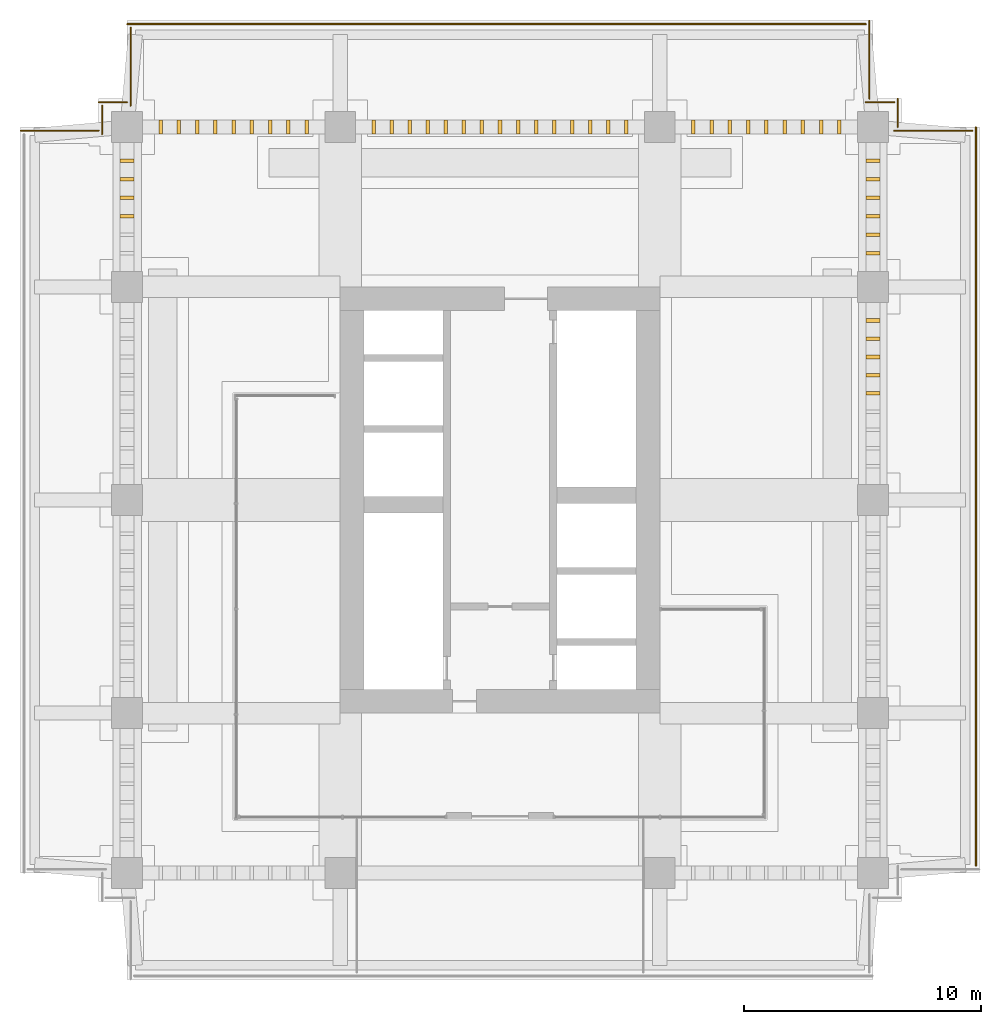
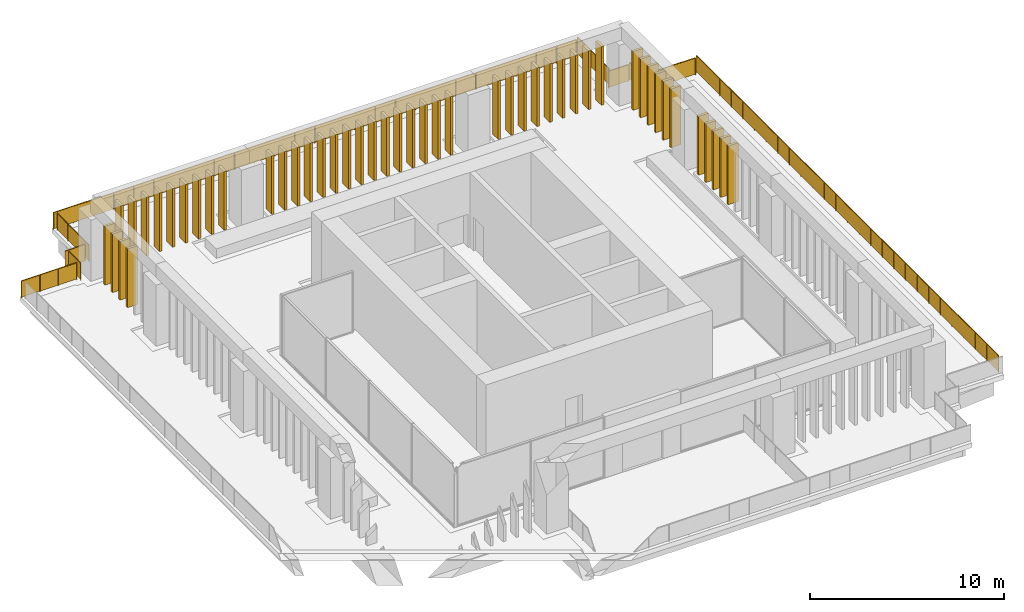
# One storey, part 9 of 9: 48 shading devices, 10 railings.
"""IFC4 building model written with IfcOpenShell, lengths in metres."""

import ifcopenshell
import ifcopenshell.guid

model = None  # the IFC model being written
_history = None  # IfcOwnerHistory: only IFC2X3 demands one
_inside = {}  # id of a spatial element -> (the spatial element, [elements in it])
_under = {}  # id of a project, library or spatial element -> (it, [spatial elements below it])
_declared = {}  # id of a project -> (the project, [libraries it declares])
_typed = {}  # id of a type object -> (the type object, [elements of that type])
_made_of = {}  # id of a material, layer set ... -> (it, [elements and type objects made of it])


def new_model(schema):
    """Start an empty IFC model of exactly this schema.

    Asked for "IFC4X3", IfcOpenShell would pick the latest addendum, in which some entities
    have other attributes; the version numbers below select the first issue.
    IFC2X3 requires an IfcOwnerHistory on every rooted entity: one is made here for all.
    """
    global model, _history
    if schema == "IFC4X3":
        model = ifcopenshell.file(schema_version=(4, 3, 0, 0))
    else:
        model = ifcopenshell.file(schema=schema)
    _inside.clear()
    _under.clear()
    _declared.clear()
    _typed.clear()
    _made_of.clear()
    _history = None
    if model.schema == "IFC2X3":
        org = make("IfcOrganization", Name="unknown")
        user = make(
            "IfcPersonAndOrganization",
            ThePerson=make("IfcPerson", FamilyName="unknown"),
            TheOrganization=org,
        )
        app = make(
            "IfcApplication",
            ApplicationDeveloper=org,
            Version="unknown",
            ApplicationFullName="unknown",
            ApplicationIdentifier="unknown",
        )
        _history = make(
            "IfcOwnerHistory",
            OwningUser=user,
            OwningApplication=app,
            ChangeAction="ADDED",
            CreationDate=0,
        )
    return model


def make(cls, **values):
    """One entity of the class cls with the attributes given. An attribute that is None is left unset."""
    return model.create_entity(
        cls, **{name: value for name, value in values.items() if value is not None}
    )


def rooted(cls, **values):
    """An entity with a GlobalId (a new one), such as an element, a storey or a relation."""
    return make(cls, GlobalId=ifcopenshell.guid.new(), OwnerHistory=_history, **values)


def si_unit(unit_type, name, prefix=None):
    """IfcSIUnit, for example si_unit("LENGTHUNIT", "METRE", prefix="MILLI")."""
    return make("IfcSIUnit", UnitType=unit_type, Prefix=prefix, Name=name)


def assignment(units):
    """IfcUnitAssignment: the units of a project."""
    return None if units is None else make("IfcUnitAssignment", Units=units)


def point(xyz):
    """IfcCartesianPoint."""
    return None if xyz is None else make("IfcCartesianPoint", Coordinates=xyz)


def direction(xyz):
    """IfcDirection."""
    return None if xyz is None else make("IfcDirection", DirectionRatios=xyz)


def frame(location, z_axis=None, x_axis=None):
    """IfcAxis2Placement3D, a coordinate frame: its origin and axes. An axis left out is left unset."""
    return make(
        "IfcAxis2Placement3D",
        Location=point(location),
        Axis=direction(z_axis),
        RefDirection=direction(x_axis),
    )


def frame_2d(location, x_axis=None):
    """IfcAxis2Placement2D, a coordinate frame in the plane: its origin and x axis."""
    return make(
        "IfcAxis2Placement2D", Location=point(location), RefDirection=direction(x_axis)
    )


def origin():
    """The frame at (0, 0, 0) with its axes left unset."""
    return frame((0.0, 0.0, 0.0))


def origin_2d():
    """The frame at (0, 0) in the plane with its x axis left unset."""
    return frame_2d((0.0, 0.0))


def place(relative_to, where):
    """IfcLocalPlacement: puts the frame where relative to a parent placement (None: the world)."""
    return make(
        "IfcLocalPlacement", PlacementRelTo=relative_to, RelativePlacement=where
    )


def context(
    kind, dimensions, precision=None, world=None, true_north=None, identifier=None
):
    """IfcGeometricRepresentationContext, for example the 3D "Model" context."""
    return make(
        "IfcGeometricRepresentationContext",
        ContextIdentifier=identifier,
        ContextType=kind,
        CoordinateSpaceDimension=dimensions,
        Precision=precision,
        WorldCoordinateSystem=world,
        TrueNorth=true_north,
    )


def subcontext(parent, identifier, kind, view, scale=None):
    """IfcGeometricRepresentationSubContext, for example "Body" below "Model"."""
    return make(
        "IfcGeometricRepresentationSubContext",
        ContextIdentifier=identifier,
        ContextType=kind,
        ParentContext=parent,
        TargetScale=scale,
        TargetView=view,
    )


def project(units=None, contexts=None):
    """IfcProject with its units and contexts."""
    return rooted(
        "IfcProject",
        Name="project",
        RepresentationContexts=contexts,
        UnitsInContext=assignment(units),
    )


def spatial(cls, under=None, at=None, **own):
    """A site, building, storey or space (cls), placed at a placement, below another one or the project."""
    s = rooted(cls, ObjectPlacement=at, **own)
    if under is not None:
        _under.setdefault(under.id(), (under, []))[1].append(s)
    return s


def polyline(points):
    """IfcPolyline through the points."""
    return make("IfcPolyline", Points=[point(p) for p in points])


def profile(cls, at=None, kind="AREA", **sizes):
    """A parametric profile (cls). Its sizes go by their IFC names, for example OverallWidth=200.0."""
    return make(cls, ProfileType=kind, Position=at, **sizes)


def rectangle(**sizes):
    """IfcRectangleProfileDef."""
    return profile("IfcRectangleProfileDef", **sizes)


def circle(**sizes):
    """IfcCircleProfileDef."""
    return profile("IfcCircleProfileDef", **sizes)


def outline(outer, holes=None, kind="AREA"):
    """IfcArbitraryClosedProfileDef: a profile drawn as a closed curve; with holes, ...WithVoids."""
    if holes is None:
        return make("IfcArbitraryClosedProfileDef", ProfileType=kind, OuterCurve=outer)
    return make(
        "IfcArbitraryProfileDefWithVoids",
        ProfileType=kind,
        OuterCurve=outer,
        InnerCurves=holes,
    )


def extrude(swept, where, along, depth):
    """IfcExtrudedAreaSolid: the profile swept, set in the frame where, extruded along a direction by depth."""
    return make(
        "IfcExtrudedAreaSolid",
        SweptArea=swept,
        Position=where,
        ExtrudedDirection=direction(along),
        Depth=depth,
    )


def shape(context_of_items, identifier, shape_type, items):
    """IfcShapeRepresentation: the items that make up one representation, for example the "Body"."""
    return make(
        "IfcShapeRepresentation",
        ContextOfItems=context_of_items,
        RepresentationIdentifier=identifier,
        RepresentationType=shape_type,
        Items=items,
    )


def material(Name=None, Category=None):
    """IfcMaterial."""
    return make("IfcMaterial", Name=Name, Category=Category)


def layer(
    of_material, thickness, ventilated=None, Name=None, Category=None, Priority=None
):
    """IfcMaterialLayer: one layer of a wall or slab, of a material (None: an air gap)."""
    return make(
        "IfcMaterialLayer",
        Material=of_material,
        LayerThickness=thickness,
        IsVentilated=ventilated,
        Name=Name,
        Category=Category,
        Priority=Priority,
    )


def layer_set(layers, Name=None):
    """IfcMaterialLayerSet."""
    return make("IfcMaterialLayerSet", MaterialLayers=layers, LayerSetName=Name)


def made_of(thing, what):
    """Note that an element or type object is made of a material, layer set ...; save() writes the relation."""
    if what is not None:
        _made_of.setdefault(what.id(), (what, []))[1].append(thing)
    return thing


def type_object(cls, material=None, **own):
    """A type object (cls), such as IfcWallType, which elements share."""
    return made_of(rooted(cls, **own), material)


def element(
    cls,
    number,
    at=None,
    inside=None,
    cuts=None,
    type_object=None,
    material=None,
    context=None,
    identifier="Body",
    shape_type=None,
    held_by="IfcProductDefinitionShape",
    body=None,
    shapes=None,
    **own,
):
    """One element of the class cls, such as IfcWall. Its Tag is "e" and its number.

    at: its placement. inside: the storey or other place that contains it. cuts: it is an
    opening in that element (IfcRelVoidsElement). A single representation is given by context,
    identifier, shape_type and body (its items); several are given by shapes. held_by: the class
    of the entity that holds the representations. save() writes the other relations.
    """
    e = rooted(cls, Tag="e%d" % number, ObjectPlacement=at, **own)
    if body is not None:
        shapes = [shape(context, identifier, shape_type, body)]
    if shapes is not None:
        e.Representation = make(held_by, Representations=shapes)
    if inside is not None:
        _inside.setdefault(inside.id(), (inside, []))[1].append(e)
    if cuts is not None:
        rooted(
            "IfcRelVoidsElement", RelatingBuildingElement=cuts, RelatedOpeningElement=e
        )
    if type_object is not None:
        _typed.setdefault(type_object.id(), (type_object, []))[1].append(e)
    return made_of(e, material)


def aggregate(whole, parts):
    """IfcRelAggregates: a whole, such as a stair, and the parts it consists of."""
    return rooted("IfcRelAggregates", RelatingObject=whole, RelatedObjects=parts)


def save(model, path):
    """Write the relations noted so far, then the file.

    IfcRelAggregates (storeys below a building ...), IfcRelContainedInSpatialStructure (elements
    in a storey), IfcRelDefinesByType, IfcRelAssociatesMaterial and IfcRelDeclares: one each for
    every whole, place, type object, material and project.
    """
    for whole, parts in _under.values():
        aggregate(whole, parts)
    for where, things in _inside.values():
        rooted(
            "IfcRelContainedInSpatialStructure",
            RelatedElements=things,
            RelatingStructure=where,
        )
    for kind, things in _typed.values():
        rooted("IfcRelDefinesByType", RelatedObjects=things, RelatingType=kind)
    for what, things in _made_of.values():
        rooted("IfcRelAssociatesMaterial", RelatedObjects=things, RelatingMaterial=what)
    for by, libraries in _declared.values():
        rooted("IfcRelDeclares", RelatingContext=by, RelatedDefinitions=libraries)
    model.write(path)


model = new_model("IFC4")

# Units and contexts
model_context = context("Model", 3, precision=1e-05, world=origin(), true_north=direction((0.0, 1.0)))
body_context = subcontext(model_context, "Body", "Model", "MODEL_VIEW")
ifc_project = project(units=[si_unit("LENGTHUNIT", "METRE"), si_unit("AREAUNIT", "SQUARE_METRE"), si_unit("VOLUMEUNIT", "CUBIC_METRE"), si_unit("PLANEANGLEUNIT", "RADIAN"), si_unit("MASSUNIT", "GRAM", prefix="KILO")], contexts=[model_context])

# Site, building, storey
site_placement = place(None, origin())
site = spatial("IfcSite", under=ifc_project, at=site_placement, CompositionType="ELEMENT")
building_placement = place(site_placement, origin())
building = spatial("IfcBuilding", under=site, at=building_placement, Name="Namib Vertical Campus", CompositionType="ELEMENT")
storey_placement = place(building_placement, frame((0.0, 0.0, 297.0)))
storey = spatial("IfcBuildingStorey", under=building, at=storey_placement, Name="L70", CompositionType="ELEMENT", Elevation=297.0)

# Shading devices
ifc_material_1 = material(Name="Black anodised aluminium", Category="aluminium")
ifc_layer = layer(ifc_material_1, 0.14990234375)
ifc_layer_set = layer_set([ifc_layer], Name="Crown screen fin 150x600")
shading_device_type = type_object("IfcShadingDeviceType", Name="Crown screen fin 150x600", PredefinedType="SHUTTER", material=ifc_layer_set)
for number, where, z_axis, x_axis, name in (
    (1, (36.0, 24.75, 0.14990234375), (0.0, 0.0, 1.0), (0.0, 1.0, 0.0), "Crown screen fin CF1 E 20"),
    (2, (36.0, 25.52001953125, 0.14990234375), (0.0, 0.0, 1.0), (0.0, 1.0, 0.0), "Crown screen fin CF1 E 21"),
    (3, (36.0, 26.2900390625, 0.14990234375), (0.0, 0.0, 1.0), (0.0, 1.0, 0.0), "Crown screen fin CF1 E 22"),
    (4, (36.0, 27.06005859375, 0.14990234375), (0.0, 0.0, 1.0), (0.0, 1.0, 0.0), "Crown screen fin CF1 E 23"),
    (5, (36.0, 27.830078125, 0.14990234375), (0.0, 0.0, 1.0), (0.0, 1.0, 0.0), "Crown screen fin CF1 E 24"),
    (6, (36.0, 30.678466796875, 0.14990234375), (0.0, 0.0, 1.0), (0.0, 1.0, 0.0), "Crown screen fin CF1 E 25"),
    (7, (36.0, 31.45703125, 0.14990234375), (0.0, 0.0, 1.0), (0.0, 1.0, 0.0), "Crown screen fin CF1 E 26"),
    (8, (36.0, 32.235595703125, 0.14990234375), (0.0, 0.0, 1.0), (0.0, 1.0, 0.0), "Crown screen fin CF1 E 27"),
    (9, (36.0, 33.014404296875, 0.14990234375), (0.0, 0.0, 1.0), (0.0, 1.0, 0.0), "Crown screen fin CF1 E 28"),
    (10, (36.0, 33.79296875, 0.14990234375), (0.0, 0.0, 1.0), (0.0, 1.0, 0.0), "Crown screen fin CF1 E 29"),
    (11, (36.0, 34.571533203125, 0.14990234375), (0.0, 0.0, 1.0), (0.0, 1.0, 0.0), "Crown screen fin CF1 E 30"),
    (12, (34.580078125, 36.0, 0.14990234375), (0.0, 0.0, 1.0), (-1.0, 0.0, 0.0), "Crown screen fin CF1 N 1"),
    (13, (33.81005859375, 36.0, 0.14990234375), (0.0, 0.0, 1.0), (-1.0, 0.0, 0.0), "Crown screen fin CF1 N 2"),
    (14, (33.0400390625, 36.0, 0.14990234375), (0.0, 0.0, 1.0), (-1.0, 0.0, 0.0), "Crown screen fin CF1 N 3"),
    (15, (32.27001953125, 36.0, 0.14990234375), (0.0, 0.0, 1.0), (-1.0, 0.0, 0.0), "Crown screen fin CF1 N 4"),
    (16, (31.5, 36.0, 0.14990234375), (0.0, 0.0, 1.0), (-1.0, 0.0, 0.0), "Crown screen fin CF1 N 5"),
    (17, (30.72998046875, 36.0, 0.14990234375), (0.0, 0.0, 1.0), (-1.0, 0.0, 0.0), "Crown screen fin CF1 N 6"),
    (18, (29.9599609375, 36.0, 0.14990234375), (0.0, 0.0, 1.0), (-1.0, 0.0, 0.0), "Crown screen fin CF1 N 7"),
    (19, (29.18994140625, 36.0, 0.14990234375), (0.0, 0.0, 1.0), (-1.0, 0.0, 0.0), "Crown screen fin CF1 N 8"),
    (20, (28.419921875, 36.0, 0.14990234375), (0.0, 0.0, 1.0), (-1.0, 0.0, 0.0), "Crown screen fin CF1 N 9"),
    (21, (25.58740234375, 36.0, 0.14990234375), (0.0, 0.0, 1.0), (-1.0, 0.0, 0.0), "Crown screen fin CF1 N 10"),
    (22, (24.824951171875, 36.0, 0.14990234375), (0.0, 0.0, 1.0), (-1.0, 0.0, 0.0), "Crown screen fin CF1 N 11"),
    (23, (24.0625, 36.0, 0.14990234375), (0.0, 0.0, 1.0), (-1.0, 0.0, 0.0), "Crown screen fin CF1 N 12"),
    (24, (23.300048828125, 36.0, 0.14990234375), (0.0, 0.0, 1.0), (-1.0, 0.0, 0.0), "Crown screen fin CF1 N 13"),
    (25, (22.53759765625, 36.0, 0.14990234375), (0.0, 0.0, 1.0), (-1.0, 0.0, 0.0), "Crown screen fin CF1 N 14"),
    (26, (21.77490234375, 36.0, 0.14990234375), (0.0, 0.0, 1.0), (-1.0, 0.0, 0.0), "Crown screen fin CF1 N 15"),
    (27, (21.012451171875, 36.0, 0.14990234375), (0.0, 0.0, 1.0), (-1.0, 0.0, 0.0), "Crown screen fin CF1 N 16"),
    (28, (20.25, 36.0, 0.14990234375), (0.0, 0.0, 1.0), (-1.0, 0.0, 0.0), "Crown screen fin CF1 N 17"),
    (29, (19.487548828125, 36.0, 0.14990234375), (0.0, 0.0, 1.0), (-1.0, 0.0, 0.0), "Crown screen fin CF1 N 18"),
    (30, (18.72509765625, 36.0, 0.14990234375), (0.0, 0.0, 1.0), (-1.0, 0.0, 0.0), "Crown screen fin CF1 N 19"),
    (31, (17.96240234375, 36.0, 0.14990234375), (0.0, 0.0, 1.0), (-1.0, 0.0, 0.0), "Crown screen fin CF1 N 20"),
    (32, (17.199951171875, 36.0, 0.14990234375), (0.0, 0.0, 1.0), (-1.0, 0.0, 0.0), "Crown screen fin CF1 N 21"),
    (33, (16.4375, 36.0, 0.14990234375), (0.0, 0.0, 1.0), (-1.0, 0.0, 0.0), "Crown screen fin CF1 N 22"),
    (34, (15.675048828125, 36.0, 0.14990234375), (0.0, 0.0, 1.0), (-1.0, 0.0, 0.0), "Crown screen fin CF1 N 23"),
    (35, (14.91259765625, 36.0, 0.14990234375), (0.0, 0.0, 1.0), (-1.0, 0.0, 0.0), "Crown screen fin CF1 N 24"),
    (36, (12.080078125, 36.0, 0.14990234375), (0.0, 0.0, 1.0), (-1.0, 0.0, 0.0), "Crown screen fin CF1 N 25"),
    (37, (11.31005859375, 36.0, 0.14990234375), (0.0, 0.0, 1.0), (-1.0, 0.0, 0.0), "Crown screen fin CF1 N 26"),
    (38, (10.5400390625, 36.0, 0.14990234375), (0.0, 0.0, 1.0), (-1.0, 0.0, 0.0), "Crown screen fin CF1 N 27"),
    (39, (9.77001953125, 36.0, 0.14990234375), (0.0, 0.0, 1.0), (-1.0, 0.0, 0.0), "Crown screen fin CF1 N 28"),
    (40, (9.0, 36.0, 0.14990234375), (0.0, 0.0, 1.0), (-1.0, 0.0, 0.0), "Crown screen fin CF1 N 29"),
    (41, (8.22998046875, 36.0, 0.14990234375), (0.0, 0.0, 1.0), (-1.0, 0.0, 0.0), "Crown screen fin CF1 N 30"),
    (42, (7.4599609375, 36.0, 0.14990234375), (0.0, 0.0, 1.0), (-1.0, 0.0, 0.0), "Crown screen fin CF1 N 31"),
    (43, (6.68994140625, 36.0, 0.14990234375), (0.0, 0.0, 1.0), (-1.0, 0.0, 0.0), "Crown screen fin CF1 N 32"),
    (44, (5.919921875, 36.0, 0.14990234375), (0.0, 0.0, 1.0), (-1.0, 0.0, 0.0), "Crown screen fin CF1 N 33"),
    (45, (4.5, 34.571533203125, 0.14990234375), (0.0, 0.0, 1.0), (0.0, -1.0, 0.0), "Crown screen fin CF1 W 1"),
    (46, (4.5, 33.79296875, 0.14990234375), (0.0, 0.0, 1.0), (0.0, -1.0, 0.0), "Crown screen fin CF1 W 2"),
    (47, (4.5, 33.014404296875, 0.14990234375), (0.0, 0.0, 1.0), (0.0, -1.0, 0.0), "Crown screen fin CF1 W 3"),
    (48, (4.5, 32.235595703125, 0.14990234375), (0.0, 0.0, 1.0), (0.0, -1.0, 0.0), "Crown screen fin CF1 W 4"),
):
    element("IfcShadingDevice", number, at=place(storey_placement, frame(where, z_axis=z_axis, x_axis=x_axis)), inside=storey, type_object=shading_device_type, Name=name, PredefinedType="SHUTTER", context=body_context, shape_type="SweptSolid", body=[
        extrude(rectangle(XDim=0.14990234375, YDim=0.60009765625, at=origin_2d()), origin(), (0.0, 0.0, 1.0), 3.699951171875),
    ])

# Railings
ifc_material_2 = material(Name="Toughened glass balustrade", Category="glass")
railing_type = type_object("IfcRailingType", Name="Edge guard 1100", PredefinedType="GUARDRAIL", material=ifc_material_2)
railing_1_placement = place(storey_placement, frame((40.35009765625, 4.800048828125, 0.0)))
element("IfcRailing", 49, at=railing_1_placement, inside=storey, type_object=railing_type, Name="Sky garden guard GR2 6", PredefinedType="GUARDRAIL", context=body_context, shape_type="SweptSolid", body=[
    extrude(circle(Radius=0.02392578125, at=origin_2d()), frame((0.0, 0.0, 1.076171875), z_axis=(0.0, 1.0, 0.0), x_axis=(-1.0, 0.0, 0.0)), (0.0, 0.0, 1.0), 31.199951171875),
    extrude(outline(polyline([(0.02099609375, 0.050048828125), (31.178955078125, 0.050048828125), (31.178955078125, 1.052001953125), (0.02099609375, 1.052001953125), (0.02099609375, 0.050048828125)])), frame((-0.0107421875, 0.0, 0.0), z_axis=(1.0, 0.0, 0.0), x_axis=(0.0, 1.0, 0.0)), (0.0, 0.0, 1.0), 0.021484375),
    extrude(circle(Radius=0.02099609375, at=origin_2d()), origin(), (0.0, 0.0, 1.0), 1.052001953125),
    extrude(circle(Radius=0.02099609375, at=origin_2d()), frame((0.0, 1.199951171875, 0.0)), (0.0, 0.0, 1.0), 1.052001953125),
    extrude(circle(Radius=0.02099609375, at=origin_2d()), frame((0.0, 2.39990234375, 0.0)), (0.0, 0.0, 1.0), 1.052001953125),
    extrude(circle(Radius=0.02099609375, at=origin_2d()), frame((0.0, 3.60009765625, 0.0)), (0.0, 0.0, 1.0), 1.052001953125),
    extrude(circle(Radius=0.02099609375, at=origin_2d()), frame((0.0, 4.800048828125, 0.0)), (0.0, 0.0, 1.0), 1.052001953125),
    extrude(circle(Radius=0.02099609375, at=origin_2d()), frame((0.0, 6.0, 0.0)), (0.0, 0.0, 1.0), 1.052001953125),
    extrude(circle(Radius=0.02099609375, at=origin_2d()), frame((0.0, 7.199951171875, 0.0)), (0.0, 0.0, 1.0), 1.052001953125),
    extrude(circle(Radius=0.02099609375, at=origin_2d()), frame((0.0, 8.39990234375, 0.0)), (0.0, 0.0, 1.0), 1.052001953125),
    extrude(circle(Radius=0.02099609375, at=origin_2d()), frame((0.0, 9.60009765625, 0.0)), (0.0, 0.0, 1.0), 1.052001953125),
    extrude(circle(Radius=0.02099609375, at=origin_2d()), frame((0.0, 10.800048828125, 0.0)), (0.0, 0.0, 1.0), 1.052001953125),
    extrude(circle(Radius=0.02099609375, at=origin_2d()), frame((0.0, 12.0, 0.0)), (0.0, 0.0, 1.0), 1.052001953125),
    extrude(circle(Radius=0.02099609375, at=origin_2d()), frame((0.0, 13.199951171875, 0.0)), (0.0, 0.0, 1.0), 1.052001953125),
    extrude(circle(Radius=0.02099609375, at=origin_2d()), frame((0.0, 14.39990234375, 0.0)), (0.0, 0.0, 1.0), 1.052001953125),
    extrude(circle(Radius=0.02099609375, at=origin_2d()), frame((0.0, 15.60009765625, 0.0)), (0.0, 0.0, 1.0), 1.052001953125),
    extrude(circle(Radius=0.02099609375, at=origin_2d()), frame((0.0, 16.800048828125, 0.0)), (0.0, 0.0, 1.0), 1.052001953125),
    extrude(circle(Radius=0.02099609375, at=origin_2d()), frame((0.0, 18.0, 0.0)), (0.0, 0.0, 1.0), 1.052001953125),
    extrude(circle(Radius=0.02099609375, at=origin_2d()), frame((0.0, 19.199951171875, 0.0)), (0.0, 0.0, 1.0), 1.052001953125),
    extrude(circle(Radius=0.02099609375, at=origin_2d()), frame((0.0, 20.39990234375, 0.0)), (0.0, 0.0, 1.0), 1.052001953125),
    extrude(circle(Radius=0.02099609375, at=origin_2d()), frame((0.0, 21.599853515625, 0.0)), (0.0, 0.0, 1.0), 1.052001953125),
    extrude(circle(Radius=0.02099609375, at=origin_2d()), frame((0.0, 22.800048828125, 0.0)), (0.0, 0.0, 1.0), 1.052001953125),
    extrude(circle(Radius=0.02099609375, at=origin_2d()), frame((0.0, 24.0, 0.0)), (0.0, 0.0, 1.0), 1.052001953125),
    extrude(circle(Radius=0.02099609375, at=origin_2d()), frame((0.0, 25.199951171875, 0.0)), (0.0, 0.0, 1.0), 1.052001953125),
    extrude(circle(Radius=0.02099609375, at=origin_2d()), frame((0.0, 26.39990234375, 0.0)), (0.0, 0.0, 1.0), 1.052001953125),
    extrude(circle(Radius=0.02099609375, at=origin_2d()), frame((0.0, 27.599853515625, 0.0)), (0.0, 0.0, 1.0), 1.052001953125),
    extrude(circle(Radius=0.02099609375, at=origin_2d()), frame((0.0, 28.800048828125, 0.0)), (0.0, 0.0, 1.0), 1.052001953125),
    extrude(circle(Radius=0.02099609375, at=origin_2d()), frame((0.0, 30.0, 0.0)), (0.0, 0.0, 1.0), 1.052001953125),
    extrude(circle(Radius=0.02099609375, at=origin_2d()), frame((0.0, 31.199951171875, 0.0)), (0.0, 0.0, 1.0), 1.052001953125),
])
railing_2_placement = place(storey_placement, frame((40.199951171875, 35.85009765625, 0.0)))
element("IfcRailing", 50, at=railing_2_placement, inside=storey, type_object=railing_type, Name="Sky garden guard GR2 7", PredefinedType="GUARDRAIL", context=body_context, shape_type="SweptSolid", body=[
    extrude(circle(Radius=0.02392578125, at=origin_2d()), frame((0.0, 0.0, 1.076171875), z_axis=(-1.0, 0.0, 0.0), x_axis=(0.0, -1.0, 0.0)), (0.0, 0.0, 1.0), 3.300048828125),
    extrude(outline(polyline([(0.02099609375, 0.050048828125), (3.279052734375, 0.050048828125), (3.279052734375, 1.052001953125), (0.02099609375, 1.052001953125), (0.02099609375, 0.050048828125)])), frame((0.0, -0.0107421875, 0.0), z_axis=(0.0, 1.0, 0.0), x_axis=(-1.0, 0.0, 0.0)), (0.0, 0.0, 1.0), 0.021484375),
    extrude(circle(Radius=0.02099609375, at=origin_2d()), origin(), (0.0, 0.0, 1.0), 1.052001953125),
    extrude(circle(Radius=0.02099609375, at=origin_2d()), frame((-1.10009765625, 0.0, 0.0)), (0.0, 0.0, 1.0), 1.052001953125),
    extrude(circle(Radius=0.02099609375, at=origin_2d()), frame((-2.199951171875, 0.0, 0.0)), (0.0, 0.0, 1.0), 1.052001953125),
    extrude(circle(Radius=0.02099609375, at=origin_2d()), frame((-3.300048828125, 0.0, 0.0)), (0.0, 0.0, 1.0), 1.052001953125),
])
railing_3_placement = place(storey_placement, frame((37.050048828125, 36.0, 0.0)))
element("IfcRailing", 51, at=railing_3_placement, inside=storey, type_object=railing_type, Name="Sky garden guard GR2 8", PredefinedType="GUARDRAIL", context=body_context, shape_type="SweptSolid", body=[
    extrude(circle(Radius=0.02392578125, at=origin_2d()), frame((0.0, 0.0, 1.076171875), z_axis=(0.0, 1.0, 0.0), x_axis=(-1.0, 0.0, 0.0)), (0.0, 0.0, 1.0), 1.199951171875),
    extrude(outline(polyline([(0.02099609375, 0.050048828125), (1.178955078125, 0.050048828125), (1.178955078125, 1.052001953125), (0.02099609375, 1.052001953125), (0.02099609375, 0.050048828125)])), frame((-0.0107421875, 0.0, 0.0), z_axis=(1.0, 0.0, 0.0), x_axis=(0.0, 1.0, 0.0)), (0.0, 0.0, 1.0), 0.021484375),
    extrude(circle(Radius=0.02099609375, at=origin_2d()), origin(), (0.0, 0.0, 1.0), 1.052001953125),
    extrude(circle(Radius=0.02099609375, at=origin_2d()), frame((0.0, 1.199951171875, 0.0)), (0.0, 0.0, 1.0), 1.052001953125),
])
railing_4_placement = place(storey_placement, frame((36.89990234375, 37.050048828125, 0.0)))
element("IfcRailing", 52, at=railing_4_placement, inside=storey, type_object=railing_type, Name="Sky garden guard GR2 9", PredefinedType="GUARDRAIL", context=body_context, shape_type="SweptSolid", body=[
    extrude(circle(Radius=0.02392578125, at=origin_2d()), frame((0.0, 0.0, 1.076171875), z_axis=(-1.0, 0.0, 0.0), x_axis=(0.0, -1.0, 0.0)), (0.0, 0.0, 1.0), 1.199951171875),
    extrude(outline(polyline([(0.02099609375, 0.050048828125), (1.178955078125, 0.050048828125), (1.178955078125, 1.052001953125), (0.02099609375, 1.052001953125), (0.02099609375, 0.050048828125)])), frame((0.0, -0.0107421875, 0.0), z_axis=(0.0, 1.0, 0.0), x_axis=(-1.0, 0.0, 0.0)), (0.0, 0.0, 1.0), 0.021484375),
    extrude(circle(Radius=0.02099609375, at=origin_2d()), origin(), (0.0, 0.0, 1.0), 1.052001953125),
    extrude(circle(Radius=0.02099609375, at=origin_2d()), frame((-1.199951171875, 0.0, 0.0)), (0.0, 0.0, 1.0), 1.052001953125),
])
railing_5_placement = place(storey_placement, frame((35.85009765625, 37.199951171875, 0.0)))
element("IfcRailing", 53, at=railing_5_placement, inside=storey, type_object=railing_type, Name="Sky garden guard GR2 10", PredefinedType="GUARDRAIL", context=body_context, shape_type="SweptSolid", body=[
    extrude(circle(Radius=0.02392578125, at=origin_2d()), frame((0.0, 0.0, 1.076171875), z_axis=(0.0, 1.0, 0.0), x_axis=(-1.0, 0.0, 0.0)), (0.0, 0.0, 1.0), 3.300048828125),
    extrude(outline(polyline([(0.02099609375, 0.050048828125), (3.279052734375, 0.050048828125), (3.279052734375, 1.052001953125), (0.02099609375, 1.052001953125), (0.02099609375, 0.050048828125)])), frame((-0.0107421875, 0.0, 0.0), z_axis=(1.0, 0.0, 0.0), x_axis=(0.0, 1.0, 0.0)), (0.0, 0.0, 1.0), 0.021484375),
    extrude(circle(Radius=0.02099609375, at=origin_2d()), origin(), (0.0, 0.0, 1.0), 1.052001953125),
    extrude(circle(Radius=0.02099609375, at=origin_2d()), frame((0.0, 1.10009765625, 0.0)), (0.0, 0.0, 1.0), 1.052001953125),
    extrude(circle(Radius=0.02099609375, at=origin_2d()), frame((0.0, 2.199951171875, 0.0)), (0.0, 0.0, 1.0), 1.052001953125),
    extrude(circle(Radius=0.02099609375, at=origin_2d()), frame((0.0, 3.300048828125, 0.0)), (0.0, 0.0, 1.0), 1.052001953125),
])
railing_6_placement = place(storey_placement, frame((35.699951171875, 40.35009765625, 0.0)))
element("IfcRailing", 54, at=railing_6_placement, inside=storey, type_object=railing_type, Name="Sky garden guard GR2 11", PredefinedType="GUARDRAIL", context=body_context, shape_type="SweptSolid", body=[
    extrude(circle(Radius=0.02392578125, at=origin_2d()), frame((0.0, 0.0, 1.076171875), z_axis=(-1.0, 0.0, 0.0), x_axis=(0.0, -1.0, 0.0)), (0.0, 0.0, 1.0), 31.199951171875),
    extrude(outline(polyline([(0.02099609375, 0.050048828125), (31.178955078125, 0.050048828125), (31.178955078125, 1.052001953125), (0.02099609375, 1.052001953125), (0.02099609375, 0.050048828125)])), frame((0.0, -0.0107421875, 0.0), z_axis=(0.0, 1.0, 0.0), x_axis=(-1.0, 0.0, 0.0)), (0.0, 0.0, 1.0), 0.021484375),
    extrude(circle(Radius=0.02099609375, at=origin_2d()), origin(), (0.0, 0.0, 1.0), 1.052001953125),
    extrude(circle(Radius=0.02099609375, at=origin_2d()), frame((-1.199951171875, 0.0, 0.0)), (0.0, 0.0, 1.0), 1.052001953125),
    extrude(circle(Radius=0.02099609375, at=origin_2d()), frame((-2.39990234375, 0.0, 0.0)), (0.0, 0.0, 1.0), 1.052001953125),
    extrude(circle(Radius=0.02099609375, at=origin_2d()), frame((-3.60009765625, 0.0, 0.0)), (0.0, 0.0, 1.0), 1.052001953125),
    extrude(circle(Radius=0.02099609375, at=origin_2d()), frame((-4.800048828125, 0.0, 0.0)), (0.0, 0.0, 1.0), 1.052001953125),
    extrude(circle(Radius=0.02099609375, at=origin_2d()), frame((-6.0, 0.0, 0.0)), (0.0, 0.0, 1.0), 1.052001953125),
    extrude(circle(Radius=0.02099609375, at=origin_2d()), frame((-7.199951171875, 0.0, 0.0)), (0.0, 0.0, 1.0), 1.052001953125),
    extrude(circle(Radius=0.02099609375, at=origin_2d()), frame((-8.39990234375, 0.0, 0.0)), (0.0, 0.0, 1.0), 1.052001953125),
    extrude(circle(Radius=0.02099609375, at=origin_2d()), frame((-9.60009765625, 0.0, 0.0)), (0.0, 0.0, 1.0), 1.052001953125),
    extrude(circle(Radius=0.02099609375, at=origin_2d()), frame((-10.800048828125, 0.0, 0.0)), (0.0, 0.0, 1.0), 1.052001953125),
    extrude(circle(Radius=0.02099609375, at=origin_2d()), frame((-12.0, 0.0, 0.0)), (0.0, 0.0, 1.0), 1.052001953125),
    extrude(circle(Radius=0.02099609375, at=origin_2d()), frame((-13.199951171875, 0.0, 0.0)), (0.0, 0.0, 1.0), 1.052001953125),
    extrude(circle(Radius=0.02099609375, at=origin_2d()), frame((-14.39990234375, 0.0, 0.0)), (0.0, 0.0, 1.0), 1.052001953125),
    extrude(circle(Radius=0.02099609375, at=origin_2d()), frame((-15.60009765625, 0.0, 0.0)), (0.0, 0.0, 1.0), 1.052001953125),
    extrude(circle(Radius=0.02099609375, at=origin_2d()), frame((-16.800048828125, 0.0, 0.0)), (0.0, 0.0, 1.0), 1.052001953125),
    extrude(circle(Radius=0.02099609375, at=origin_2d()), frame((-18.0, 0.0, 0.0)), (0.0, 0.0, 1.0), 1.052001953125),
    extrude(circle(Radius=0.02099609375, at=origin_2d()), frame((-19.199951171875, 0.0, 0.0)), (0.0, 0.0, 1.0), 1.052001953125),
    extrude(circle(Radius=0.02099609375, at=origin_2d()), frame((-20.39990234375, 0.0, 0.0)), (0.0, 0.0, 1.0), 1.052001953125),
    extrude(circle(Radius=0.02099609375, at=origin_2d()), frame((-21.599853515625, 0.0, 0.0)), (0.0, 0.0, 1.0), 1.052001953125),
    extrude(circle(Radius=0.02099609375, at=origin_2d()), frame((-22.800048828125, 0.0, 0.0)), (0.0, 0.0, 1.0), 1.052001953125),
    extrude(circle(Radius=0.02099609375, at=origin_2d()), frame((-24.0, 0.0, 0.0)), (0.0, 0.0, 1.0), 1.052001953125),
    extrude(circle(Radius=0.02099609375, at=origin_2d()), frame((-25.199951171875, 0.0, 0.0)), (0.0, 0.0, 1.0), 1.052001953125),
    extrude(circle(Radius=0.02099609375, at=origin_2d()), frame((-26.39990234375, 0.0, 0.0)), (0.0, 0.0, 1.0), 1.052001953125),
    extrude(circle(Radius=0.02099609375, at=origin_2d()), frame((-27.599853515625, 0.0, 0.0)), (0.0, 0.0, 1.0), 1.052001953125),
    extrude(circle(Radius=0.02099609375, at=origin_2d()), frame((-28.800048828125, 0.0, 0.0)), (0.0, 0.0, 1.0), 1.052001953125),
    extrude(circle(Radius=0.02099609375, at=origin_2d()), frame((-30.0, 0.0, 0.0)), (0.0, 0.0, 1.0), 1.052001953125),
    extrude(circle(Radius=0.02099609375, at=origin_2d()), frame((-31.199951171875, 0.0, 0.0)), (0.0, 0.0, 1.0), 1.052001953125),
])
railing_7_placement = place(storey_placement, frame((4.64990234375, 40.199951171875, 0.0)))
element("IfcRailing", 55, at=railing_7_placement, inside=storey, type_object=railing_type, Name="Sky garden guard GR2 12", PredefinedType="GUARDRAIL", context=body_context, shape_type="SweptSolid", body=[
    extrude(circle(Radius=0.02392578125, at=origin_2d()), frame((0.0, 0.0, 1.076171875), z_axis=(0.0, -1.0, 0.0), x_axis=(1.0, 0.0, 0.0)), (0.0, 0.0, 1.0), 3.300048828125),
    extrude(outline(polyline([(0.02099609375, 0.050048828125), (3.279052734375, 0.050048828125), (3.279052734375, 1.052001953125), (0.02099609375, 1.052001953125), (0.02099609375, 0.050048828125)])), frame((0.0107421875, 0.0, 0.0), z_axis=(-1.0, 0.0, 0.0), x_axis=(0.0, -1.0, 0.0)), (0.0, 0.0, 1.0), 0.021484375),
    extrude(circle(Radius=0.02099609375, at=origin_2d()), origin(), (0.0, 0.0, 1.0), 1.052001953125),
    extrude(circle(Radius=0.02099609375, at=origin_2d()), frame((0.0, -1.10009765625, 0.0)), (0.0, 0.0, 1.0), 1.052001953125),
    extrude(circle(Radius=0.02099609375, at=origin_2d()), frame((0.0, -2.199951171875, 0.0)), (0.0, 0.0, 1.0), 1.052001953125),
    extrude(circle(Radius=0.02099609375, at=origin_2d()), frame((0.0, -3.300048828125, 0.0)), (0.0, 0.0, 1.0), 1.052001953125),
])
railing_8_placement = place(storey_placement, frame((4.5, 37.050048828125, 0.0)))
element("IfcRailing", 56, at=railing_8_placement, inside=storey, type_object=railing_type, Name="Sky garden guard GR2 13", PredefinedType="GUARDRAIL", context=body_context, shape_type="SweptSolid", body=[
    extrude(circle(Radius=0.02392578125, at=origin_2d()), frame((0.0, 0.0, 1.076171875), z_axis=(-1.0, 0.0, 0.0), x_axis=(0.0, -1.0, 0.0)), (0.0, 0.0, 1.0), 1.199951171875),
    extrude(outline(polyline([(0.02099609375, 0.050048828125), (1.178955078125, 0.050048828125), (1.178955078125, 1.052001953125), (0.02099609375, 1.052001953125), (0.02099609375, 0.050048828125)])), frame((0.0, -0.0107421875, 0.0), z_axis=(0.0, 1.0, 0.0), x_axis=(-1.0, 0.0, 0.0)), (0.0, 0.0, 1.0), 0.021484375),
    extrude(circle(Radius=0.02099609375, at=origin_2d()), origin(), (0.0, 0.0, 1.0), 1.052001953125),
    extrude(circle(Radius=0.02099609375, at=origin_2d()), frame((-1.199951171875, 0.0, 0.0)), (0.0, 0.0, 1.0), 1.052001953125),
])
railing_9_placement = place(storey_placement, frame((3.449951171875, 36.89990234375, 0.0)))
element("IfcRailing", 57, at=railing_9_placement, inside=storey, type_object=railing_type, Name="Sky garden guard GR2 14", PredefinedType="GUARDRAIL", context=body_context, shape_type="SweptSolid", body=[
    extrude(circle(Radius=0.02392578125, at=origin_2d()), frame((0.0, 0.0, 1.076171875), z_axis=(0.0, -1.0, 0.0), x_axis=(1.0, 0.0, 0.0)), (0.0, 0.0, 1.0), 1.199951171875),
    extrude(outline(polyline([(0.02099609375, 0.050048828125), (1.178955078125, 0.050048828125), (1.178955078125, 1.052001953125), (0.02099609375, 1.052001953125), (0.02099609375, 0.050048828125)])), frame((0.0107421875, 0.0, 0.0), z_axis=(-1.0, 0.0, 0.0), x_axis=(0.0, -1.0, 0.0)), (0.0, 0.0, 1.0), 0.021484375),
    extrude(circle(Radius=0.02099609375, at=origin_2d()), origin(), (0.0, 0.0, 1.0), 1.052001953125),
    extrude(circle(Radius=0.02099609375, at=origin_2d()), frame((0.0, -1.199951171875, 0.0)), (0.0, 0.0, 1.0), 1.052001953125),
])
railing_10_placement = place(storey_placement, frame((3.300048828125, 35.85009765625, 0.0)))
element("IfcRailing", 58, at=railing_10_placement, inside=storey, type_object=railing_type, Name="Sky garden guard GR2 15", PredefinedType="GUARDRAIL", context=body_context, shape_type="SweptSolid", body=[
    extrude(circle(Radius=0.02392578125, at=origin_2d()), frame((0.0, 0.0, 1.076171875), z_axis=(-1.0, 0.0, 0.0), x_axis=(0.0, -1.0, 0.0)), (0.0, 0.0, 1.0), 3.300048828125),
    extrude(outline(polyline([(0.02099609375, 0.050048828125), (3.279052734375, 0.050048828125), (3.279052734375, 1.052001953125), (0.02099609375, 1.052001953125), (0.02099609375, 0.050048828125)])), frame((0.0, -0.0107421875, 0.0), z_axis=(0.0, 1.0, 0.0), x_axis=(-1.0, 0.0, 0.0)), (0.0, 0.0, 1.0), 0.021484375),
    extrude(circle(Radius=0.02099609375, at=origin_2d()), origin(), (0.0, 0.0, 1.0), 1.052001953125),
    extrude(circle(Radius=0.02099609375, at=origin_2d()), frame((-1.10009765625, 0.0, 0.0)), (0.0, 0.0, 1.0), 1.052001953125),
    extrude(circle(Radius=0.02099609375, at=origin_2d()), frame((-2.199951171875, 0.0, 0.0)), (0.0, 0.0, 1.0), 1.052001953125),
    extrude(circle(Radius=0.02099609375, at=origin_2d()), frame((-3.300048828125, 0.0, 0.0)), (0.0, 0.0, 1.0), 1.052001953125),
])

save(model, "model.ifc")
